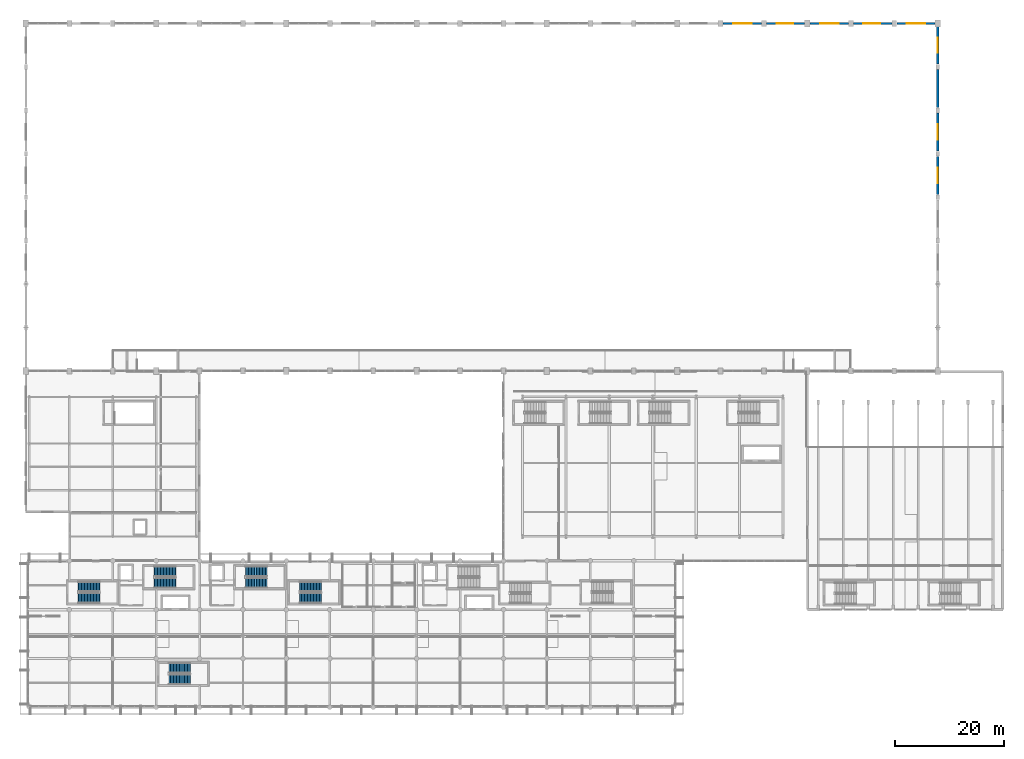
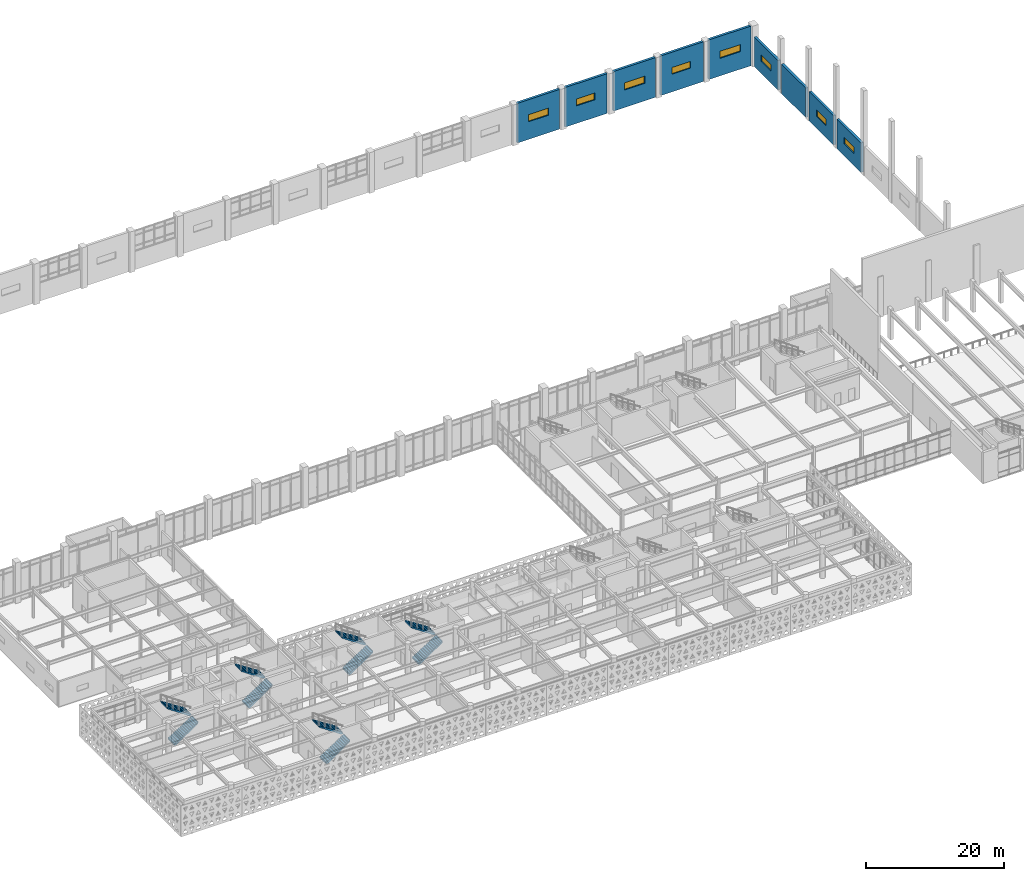
# One storey, part 69 of 84: 10 stair flights, 9 walls, 8 windows, 8 openings, 5 elements without a shape of their own.
"""IFC4 building model written with IfcOpenShell, lengths in metres."""

from ifc_helpers import new_model, si_unit, direction, frame, frame_2d, origin, place, context, subcontext, project, spatial, polyline, rectangle, outline, extrude, material, layer, layer_set, type_object, element, fill, aggregate, save


model = new_model("IFC4")

# Units and contexts
model_context = context("Model", 3, precision=1e-05, world=origin(), true_north=direction((0.0, 1.0)))
body_context = subcontext(model_context, "Body", "Model", "MODEL_VIEW")
ifc_project = project(units=[si_unit("LENGTHUNIT", "METRE"), si_unit("AREAUNIT", "SQUARE_METRE"), si_unit("VOLUMEUNIT", "CUBIC_METRE"), si_unit("PLANEANGLEUNIT", "RADIAN"), si_unit("MASSUNIT", "GRAM", prefix="KILO")], contexts=[model_context])

# Site, building, storey
site_placement = place(None, origin())
site = spatial("IfcSite", under=ifc_project, at=site_placement, CompositionType="ELEMENT")
building_placement = place(site_placement, origin())
building = spatial("IfcBuilding", under=site, at=building_placement, Name="Tlacozan Convention Centre", CompositionType="ELEMENT")
storey_placement = place(building_placement, frame((0.0, 0.0, 6.0)))
storey = spatial("IfcBuildingStorey", under=building, at=storey_placement, Name="L01", CompositionType="ELEMENT", Elevation=6.0)

# Wall, opening, window
ifc_material_1 = material(Name="Concrete C40/50", Category="concrete")
ifc_layer = layer(ifc_material_1, 0.39990234375)
ifc_layer_set = layer_set([ifc_layer], Name="Concrete C40/50")
wall_type = type_object("IfcWallType", Name="Cantera Structural Hall Wall 400", PredefinedType="SOLIDWALL", material=ifc_layer_set)
wall_1_placement = place(storey_placement, frame((128.465087890625, 126.0, 0.0), z_axis=(0.0, 0.0, 1.0), x_axis=(1.0, 0.0, 0.0)))
wall_1 = element("IfcWall", 1, at=wall_1_placement, inside=storey, type_object=wall_type, Name="L01 Cantera Structural Hall Wall 400 46", PredefinedType="SOLIDWALL", context=body_context, shape_type="SweptSolid", body=[
    extrude(rectangle(XDim=7.06982421875, YDim=0.39990234375, at=frame_2d((3.534912109375, 0.0))), origin(), (0.0, 0.0, 1.0), 7.0),
])
opening_1_placement = place(wall_1_placement, frame((1.85009765625, 0.0, 3.10009765625)))
opening_1 = element("IfcOpeningElement", 2, at=opening_1_placement, cuts=wall_1, Name="Opening WN-01", PredefinedType="OPENING", context=body_context, shape_type="SweptSolid", body=[
    extrude(rectangle(XDim=3.39990234375, YDim=1.25, at=frame_2d((1.699951171875, 0.625))), frame((0.0, 0.2099609375, 0.0), z_axis=(0.0, -1.0, 0.0), x_axis=(1.0, 0.0, 0.0)), (0.0, 0.0, 1.0), 0.419921875),
])
ifc_material_2 = material(Name="Solar Control Double Low-E Argon Glazing", Category="glass")
window_type_1 = type_object("IfcWindowType", Name="Exhibition North Clerestory Window 3400x1250", PartitioningType="SINGLE_PANEL", PredefinedType="WINDOW", material=ifc_material_2)
window_1_placement = place(opening_1_placement, origin())
window_1 = element("IfcWindow", 3, at=window_1_placement, inside=storey, type_object=window_type_1, Name="L01 Exhibition North Clerestory Window 3400x1250 17", OverallHeight=1.25, OverallWidth=3.39990234375, PartitioningType="SINGLE_PANEL", PredefinedType="WINDOW", context=body_context, shape_type="SweptSolid", body=[
    extrude(rectangle(XDim=3.39990234375, YDim=1.25, at=frame_2d((1.699951171875, 0.625))), frame((0.0, 0.030029296875, 0.0), z_axis=(0.0, -1.0, 0.0), x_axis=(1.0, 0.0, 0.0)), (0.0, 0.0, 1.0), 0.06005859375),
])
fill(opening_1, window_1)

wall_2_placement = place(storey_placement, frame((136.465087890625, 126.0, 0.0), z_axis=(0.0, 0.0, 1.0), x_axis=(1.0, 0.0, 0.0)))
wall_2 = element("IfcWall", 4, at=wall_2_placement, inside=storey, type_object=wall_type, Name="L01 Cantera Structural Hall Wall 400 48", PredefinedType="SOLIDWALL", context=body_context, shape_type="SweptSolid", body=[
    extrude(rectangle(XDim=7.02001953125, YDim=0.39990234375, at=frame_2d((3.510009765625, 0.0))), origin(), (0.0, 0.0, 1.0), 7.0),
])
opening_2_placement = place(wall_2_placement, frame((1.85009765625, 0.0, 3.10009765625)))
opening_2 = element("IfcOpeningElement", 5, at=opening_2_placement, cuts=wall_2, Name="Opening WN-02", PredefinedType="OPENING", context=body_context, shape_type="SweptSolid", body=[
    extrude(rectangle(XDim=3.10009765625, YDim=1.199951171875, at=frame_2d((1.550048828125, 0.60009765625))), frame((0.0, 0.2099609375, 0.0), z_axis=(0.0, -1.0, 0.0), x_axis=(1.0, 0.0, 0.0)), (0.0, 0.0, 1.0), 0.419921875),
])
window_type_2 = type_object("IfcWindowType", Name="Exhibition North Clerestory Window 3100x1200", PartitioningType="SINGLE_PANEL", PredefinedType="WINDOW", material=ifc_material_2)
window_2_placement = place(opening_2_placement, origin())
window_2 = element("IfcWindow", 6, at=window_2_placement, inside=storey, type_object=window_type_2, Name="L01 Exhibition North Clerestory Window 3100x1200 19", OverallHeight=1.199951171875, OverallWidth=3.10009765625, PartitioningType="SINGLE_PANEL", PredefinedType="WINDOW", context=body_context, shape_type="SweptSolid", body=[
    extrude(rectangle(XDim=3.10009765625, YDim=1.199951171875, at=frame_2d((1.550048828125, 0.60009765625))), frame((0.0, 0.030029296875, 0.0), z_axis=(0.0, -1.0, 0.0), x_axis=(1.0, 0.0, 0.0)), (0.0, 0.0, 1.0), 0.06005859375),
])
fill(opening_2, window_2)

wall_3_placement = place(storey_placement, frame((144.514892578125, 126.0, 0.0), z_axis=(0.0, 0.0, 1.0), x_axis=(1.0, 0.0, 0.0)))
wall_3 = element("IfcWall", 7, at=wall_3_placement, inside=storey, type_object=wall_type, Name="L01 Cantera Structural Hall Wall 400 50", PredefinedType="SOLIDWALL", context=body_context, shape_type="SweptSolid", body=[
    extrude(rectangle(XDim=7.02001953125, YDim=0.39990234375, at=frame_2d((3.510009765625, 0.0))), origin(), (0.0, 0.0, 1.0), 7.0),
])
opening_3_placement = place(wall_3_placement, frame((1.85009765625, 0.0, 3.10009765625)))
opening_3 = element("IfcOpeningElement", 8, at=opening_3_placement, cuts=wall_3, Name="Opening WN-01", PredefinedType="OPENING", context=body_context, shape_type="SweptSolid", body=[
    extrude(rectangle(XDim=3.39990234375, YDim=1.25, at=frame_2d((1.699951171875, 0.625))), frame((0.0, 0.2099609375, 0.0), z_axis=(0.0, -1.0, 0.0), x_axis=(1.0, 0.0, 0.0)), (0.0, 0.0, 1.0), 0.419921875),
])
window_3_placement = place(opening_3_placement, origin())
window_3 = element("IfcWindow", 9, at=window_3_placement, inside=storey, type_object=window_type_1, Name="L01 Exhibition North Clerestory Window 3400x1250 20", OverallHeight=1.25, OverallWidth=3.39990234375, PartitioningType="SINGLE_PANEL", PredefinedType="WINDOW", context=body_context, shape_type="SweptSolid", body=[
    extrude(rectangle(XDim=3.39990234375, YDim=1.25, at=frame_2d((1.699951171875, 0.625))), frame((0.0, 0.030029296875, 0.0), z_axis=(0.0, -1.0, 0.0), x_axis=(1.0, 0.0, 0.0)), (0.0, 0.0, 1.0), 0.06005859375),
])
fill(opening_3, window_3)

wall_4_placement = place(storey_placement, frame((152.465087890625, 126.0, 0.0), z_axis=(0.0, 0.0, 1.0), x_axis=(1.0, 0.0, 0.0)))
wall_4 = element("IfcWall", 10, at=wall_4_placement, inside=storey, type_object=wall_type, Name="L01 Cantera Structural Hall Wall 400 52", PredefinedType="SOLIDWALL", context=body_context, shape_type="SweptSolid", body=[
    extrude(rectangle(XDim=7.06982421875, YDim=0.39990234375, at=frame_2d((3.534912109375, 0.0))), origin(), (0.0, 0.0, 1.0), 7.0),
])
opening_4_placement = place(wall_4_placement, frame((1.85009765625, 0.0, 3.10009765625)))
opening_4 = element("IfcOpeningElement", 11, at=opening_4_placement, cuts=wall_4, Name="Opening WN-02", PredefinedType="OPENING", context=body_context, shape_type="SweptSolid", body=[
    extrude(rectangle(XDim=3.10009765625, YDim=1.199951171875, at=frame_2d((1.550048828125, 0.60009765625))), frame((0.0, 0.2099609375, 0.0), z_axis=(0.0, -1.0, 0.0), x_axis=(1.0, 0.0, 0.0)), (0.0, 0.0, 1.0), 0.419921875),
])
window_4_placement = place(opening_4_placement, origin())
window_4 = element("IfcWindow", 12, at=window_4_placement, inside=storey, type_object=window_type_2, Name="L01 Exhibition North Clerestory Window 3100x1200 21", OverallHeight=1.199951171875, OverallWidth=3.10009765625, PartitioningType="SINGLE_PANEL", PredefinedType="WINDOW", context=body_context, shape_type="SweptSolid", body=[
    extrude(rectangle(XDim=3.10009765625, YDim=1.199951171875, at=frame_2d((1.550048828125, 0.60009765625))), frame((0.0, 0.030029296875, 0.0), z_axis=(0.0, -1.0, 0.0), x_axis=(1.0, 0.0, 0.0)), (0.0, 0.0, 1.0), 0.06005859375),
])
fill(opening_4, window_4)

wall_5_placement = place(storey_placement, frame((160.465087890625, 126.0, 0.0), z_axis=(0.0, 0.0, 1.0), x_axis=(1.0, 0.0, 0.0)))
wall_5 = element("IfcWall", 13, at=wall_5_placement, inside=storey, type_object=wall_type, Name="L01 Cantera Structural Hall Wall 400 54", PredefinedType="SOLIDWALL", context=body_context, shape_type="SweptSolid", body=[
    extrude(rectangle(XDim=7.02001953125, YDim=0.39990234375, at=frame_2d((3.510009765625, 0.0))), origin(), (0.0, 0.0, 1.0), 7.0),
])
opening_5_placement = place(wall_5_placement, frame((1.85009765625, 0.0, 3.10009765625)))
opening_5 = element("IfcOpeningElement", 14, at=opening_5_placement, cuts=wall_5, Name="Opening WN-01", PredefinedType="OPENING", context=body_context, shape_type="SweptSolid", body=[
    extrude(rectangle(XDim=3.39990234375, YDim=1.25, at=frame_2d((1.699951171875, 0.625))), frame((0.0, 0.2099609375, 0.0), z_axis=(0.0, -1.0, 0.0), x_axis=(1.0, 0.0, 0.0)), (0.0, 0.0, 1.0), 0.419921875),
])
window_5_placement = place(opening_5_placement, origin())
window_5 = element("IfcWindow", 15, at=window_5_placement, inside=storey, type_object=window_type_1, Name="L01 Exhibition North Clerestory Window 3400x1250 22", OverallHeight=1.25, OverallWidth=3.39990234375, PartitioningType="SINGLE_PANEL", PredefinedType="WINDOW", context=body_context, shape_type="SweptSolid", body=[
    extrude(rectangle(XDim=3.39990234375, YDim=1.25, at=frame_2d((1.699951171875, 0.625))), frame((0.0, 0.030029296875, 0.0), z_axis=(0.0, -1.0, 0.0), x_axis=(1.0, 0.0, 0.0)), (0.0, 0.0, 1.0), 0.06005859375),
])
fill(opening_5, window_5)

wall_6_placement = place(storey_placement, frame((168.0, 94.5, 0.0), z_axis=(0.0, 0.0, 1.0), x_axis=(0.0, 1.0, 0.0)))
wall_6 = element("IfcWall", 16, at=wall_6_placement, inside=storey, type_object=wall_type, Name="L01 Cantera Structural Hall Wall 400 80", PredefinedType="SOLIDWALL", context=body_context, shape_type="SweptSolid", body=[
    extrude(rectangle(XDim=7.0, YDim=0.39990234375, at=frame_2d((3.5, 0.0))), origin(), (0.0, 0.0, 1.0), 5.199951171875),
])
opening_6_placement = place(wall_6_placement, frame((2.10009765625, 0.0, 2.10009765625)))
opening_6 = element("IfcOpeningElement", 17, at=opening_6_placement, cuts=wall_6, Name="Opening WN-03", PredefinedType="OPENING", context=body_context, shape_type="SweptSolid", body=[
    extrude(rectangle(XDim=2.800048828125, YDim=1.14990234375, at=frame_2d((1.39990234375, 0.574951171875))), frame((0.0, 0.2099609375, 0.0), z_axis=(0.0, -1.0, 0.0), x_axis=(1.0, 0.0, 0.0)), (0.0, 0.0, 1.0), 0.419921875),
])
window_type_3 = type_object("IfcWindowType", Name="Exhibition Gable Clerestory Window 2800x1150", PartitioningType="SINGLE_PANEL", PredefinedType="WINDOW", material=ifc_material_2)
window_6_placement = place(opening_6_placement, origin())
window_6 = element("IfcWindow", 18, at=window_6_placement, inside=storey, type_object=window_type_3, Name="L01 Exhibition Gable Clerestory Window 2800x1150 37", OverallHeight=1.14990234375, OverallWidth=2.800048828125, PartitioningType="SINGLE_PANEL", PredefinedType="WINDOW", context=body_context, shape_type="SweptSolid", body=[
    extrude(rectangle(XDim=2.800048828125, YDim=1.14990234375, at=frame_2d((1.39990234375, 0.574951171875))), frame((0.0, 0.030029296875, 0.0), z_axis=(0.0, -1.0, 0.0), x_axis=(1.0, 0.0, 0.0)), (0.0, 0.0, 1.0), 0.06005859375),
])
fill(opening_6, window_6)

wall_7_placement = place(storey_placement, frame((168.0, 102.5, 0.0), z_axis=(0.0, 0.0, 1.0), x_axis=(0.0, 1.0, 0.0)))
wall_7 = element("IfcWall", 19, at=wall_7_placement, inside=storey, type_object=wall_type, Name="L01 Cantera Structural Hall Wall 400 82", PredefinedType="SOLIDWALL", context=body_context, shape_type="SweptSolid", body=[
    extrude(rectangle(XDim=7.0, YDim=0.39990234375, at=frame_2d((3.5, 0.0))), origin(), (0.0, 0.0, 1.0), 5.199951171875),
])
opening_7_placement = place(wall_7_placement, frame((2.10009765625, 0.0, 2.10009765625)))
opening_7 = element("IfcOpeningElement", 20, at=opening_7_placement, cuts=wall_7, Name="Opening WN-03", PredefinedType="OPENING", context=body_context, shape_type="SweptSolid", body=[
    extrude(rectangle(XDim=2.800048828125, YDim=1.14990234375, at=frame_2d((1.39990234375, 0.574951171875))), frame((0.0, 0.2099609375, 0.0), z_axis=(0.0, -1.0, 0.0), x_axis=(1.0, 0.0, 0.0)), (0.0, 0.0, 1.0), 0.419921875),
])
window_7_placement = place(opening_7_placement, origin())
window_7 = element("IfcWindow", 21, at=window_7_placement, inside=storey, type_object=window_type_3, Name="L01 Exhibition Gable Clerestory Window 2800x1150 38", OverallHeight=1.14990234375, OverallWidth=2.800048828125, PartitioningType="SINGLE_PANEL", PredefinedType="WINDOW", context=body_context, shape_type="SweptSolid", body=[
    extrude(rectangle(XDim=2.800048828125, YDim=1.14990234375, at=frame_2d((1.39990234375, 0.574951171875))), frame((0.0, 0.030029296875, 0.0), z_axis=(0.0, -1.0, 0.0), x_axis=(1.0, 0.0, 0.0)), (0.0, 0.0, 1.0), 0.06005859375),
])
fill(opening_7, window_7)

# Wall
wall_8_placement = place(storey_placement, frame((168.0, 110.5, 0.0), z_axis=(0.0, 0.0, 1.0), x_axis=(0.0, 1.0, 0.0)))
element("IfcWall", 22, at=wall_8_placement, inside=storey, type_object=wall_type, Name="L01 Cantera Structural Hall Wall 400 84", PredefinedType="SOLIDWALL", context=body_context, shape_type="SweptSolid", body=[
    extrude(rectangle(XDim=7.0, YDim=0.39990234375, at=frame_2d((3.5, 0.0))), origin(), (0.0, 0.0, 1.0), 5.199951171875),
])

# Wall, opening, window
wall_9_placement = place(storey_placement, frame((168.0, 118.5, 0.0), z_axis=(0.0, 0.0, 1.0), x_axis=(0.0, 1.0, 0.0)))
wall_9 = element("IfcWall", 23, at=wall_9_placement, inside=storey, type_object=wall_type, Name="L01 Cantera Structural Hall Wall 400 86", PredefinedType="SOLIDWALL", context=body_context, shape_type="SweptSolid", body=[
    extrude(rectangle(XDim=7.0, YDim=0.39990234375, at=frame_2d((3.5, 0.0))), origin(), (0.0, 0.0, 1.0), 5.199951171875),
])
opening_8_placement = place(wall_9_placement, frame((2.10009765625, 0.0, 2.10009765625)))
opening_8 = element("IfcOpeningElement", 24, at=opening_8_placement, cuts=wall_9, Name="Opening WN-03", PredefinedType="OPENING", context=body_context, shape_type="SweptSolid", body=[
    extrude(rectangle(XDim=2.800048828125, YDim=1.14990234375, at=frame_2d((1.39990234375, 0.574951171875))), frame((0.0, 0.2099609375, 0.0), z_axis=(0.0, -1.0, 0.0), x_axis=(1.0, 0.0, 0.0)), (0.0, 0.0, 1.0), 0.419921875),
])
window_8_placement = place(opening_8_placement, origin())
window_8 = element("IfcWindow", 25, at=window_8_placement, inside=storey, type_object=window_type_3, Name="L01 Exhibition Gable Clerestory Window 2800x1150 40", OverallHeight=1.14990234375, OverallWidth=2.800048828125, PartitioningType="SINGLE_PANEL", PredefinedType="WINDOW", context=body_context, shape_type="SweptSolid", body=[
    extrude(rectangle(XDim=2.800048828125, YDim=1.14990234375, at=frame_2d((1.39990234375, 0.574951171875))), frame((0.0, 0.030029296875, 0.0), z_axis=(0.0, -1.0, 0.0), x_axis=(1.0, 0.0, 0.0)), (0.0, 0.0, 1.0), 0.06005859375),
])
fill(opening_8, window_8)

# Stair, stair flights
stair_type = type_object("IfcStairType", Name="Protected Dogleg Stair W188 H54", PredefinedType="HALF_TURN_STAIR", material=ifc_material_1)
stair_1_placement = place(storey_placement, origin())
stair_1 = element("IfcStair", 26, at=stair_1_placement, inside=storey, type_object=stair_type, Name="L01 West Congress Core Stair ST-01", PredefinedType="HALF_TURN_STAIR")
stair_flight_type = type_object("IfcStairFlightType", Name="Concrete Stair Flight W188 H54", PredefinedType="STRAIGHT", material=ifc_material_1)
stair_flight_1_placement = place(storey_placement, frame((23.679931640625, 22.93994140625, 0.0), z_axis=(0.0, 0.0, 1.0), x_axis=(1.0, 0.0, 0.0)))
stair_flight_1 = element("IfcStairFlight", 27, at=stair_flight_1_placement, type_object=stair_flight_type, Name="ST-01 flight 1", NumberOfRisers=15, NumberOfTreads=14, PredefinedType="STRAIGHT", RiserHeight=0.18, TreadLength=0.28, context=body_context, shape_type="SweptSolid", body=[
    extrude(outline(polyline([(-0.044921875, -0.14990234375), (-0.044921875, 0.0), (0.0, 0.0), (0.0, 0.179931640625), (0.280029296875, 0.179931640625), (0.280029296875, 0.360107421875), (0.56005859375, 0.360107421875), (0.56005859375, 0.5400390625), (0.840087890625, 0.5400390625), (0.840087890625, 0.719970703125), (1.1201171875, 0.719970703125), (1.1201171875, 0.89990234375), (1.39990234375, 0.89990234375), (1.39990234375, 1.080078125), (1.679931640625, 1.080078125), (1.679931640625, 1.260009765625), (1.9599609375, 1.260009765625), (1.9599609375, 1.43994140625), (2.239990234375, 1.43994140625), (2.239990234375, 1.6201171875), (2.52001953125, 1.6201171875), (2.52001953125, 1.800048828125), (2.800048828125, 1.800048828125), (2.800048828125, 1.97998046875), (3.080078125, 1.97998046875), (3.080078125, 2.159912109375), (3.360107421875, 2.159912109375), (3.360107421875, 2.340087890625), (3.639892578125, 2.340087890625), (3.639892578125, 2.52001953125), (3.919921875, 2.52001953125), (3.919921875, 2.699951171875), (3.96484375, 2.699951171875), (3.96484375, 2.550048828125), (3.919921875, 2.341796875), (0.277099609375, -0.14990234375), (-0.044921875, -0.14990234375)])), frame((0.0, 0.93994140625, 0.0), z_axis=(0.0, -1.0, 0.0), x_axis=(1.0, 0.0, 0.0)), (0.0, 0.0, 1.0), 1.8798828125),
])
stair_flight_2_placement = place(storey_placement, frame((27.60009765625, 25.02001953125, 2.699951171875), z_axis=(0.0, 0.0, 1.0), x_axis=(-1.0, 0.0, 0.0)))
stair_flight_2 = element("IfcStairFlight", 28, at=stair_flight_2_placement, type_object=stair_flight_type, Name="ST-01 flight 2", NumberOfRisers=15, NumberOfTreads=14, PredefinedType="STRAIGHT", RiserHeight=0.18, TreadLength=0.28, context=body_context, shape_type="SweptSolid", body=[
    extrude(outline(polyline([(-0.044921875, -0.14990234375), (-0.044921875, 0.0), (0.0, 0.0), (0.0, 0.179931640625), (0.280029296875, 0.179931640625), (0.280029296875, 0.360107421875), (0.56005859375, 0.360107421875), (0.56005859375, 0.5400390625), (0.840087890625, 0.5400390625), (0.840087890625, 0.719970703125), (1.1201171875, 0.719970703125), (1.1201171875, 0.89990234375), (1.39990234375, 0.89990234375), (1.39990234375, 1.080078125), (1.679931640625, 1.080078125), (1.679931640625, 1.260009765625), (1.9599609375, 1.260009765625), (1.9599609375, 1.43994140625), (2.239990234375, 1.43994140625), (2.239990234375, 1.6201171875), (2.52001953125, 1.6201171875), (2.52001953125, 1.800048828125), (2.800048828125, 1.800048828125), (2.800048828125, 1.97998046875), (3.080078125, 1.97998046875), (3.080078125, 2.159912109375), (3.360107421875, 2.159912109375), (3.360107421875, 2.340087890625), (3.639892578125, 2.340087890625), (3.639892578125, 2.52001953125), (3.919921875, 2.52001953125), (3.919921875, 2.699951171875), (3.96484375, 2.699951171875), (3.96484375, 2.550048828125), (3.919921875, 2.341796875), (0.277099609375, -0.14990234375), (-0.044921875, -0.14990234375)])), frame((0.0, 0.93994140625, 0.0), z_axis=(0.0, -1.0, 0.0), x_axis=(1.0, 0.0, 0.0)), (0.0, 0.0, 1.0), 1.8798828125),
])
aggregate(stair_1, [stair_flight_1, stair_flight_2])

stair_2_placement = place(storey_placement, origin())
stair_2 = element("IfcStair", 29, at=stair_2_placement, inside=storey, type_object=stair_type, Name="L01 Central Congress Core Stair ST-04", PredefinedType="HALF_TURN_STAIR")
stair_flight_3_placement = place(storey_placement, frame((40.47998046875, 22.93994140625, 0.0), z_axis=(0.0, 0.0, 1.0), x_axis=(1.0, 0.0, 0.0)))
stair_flight_3 = element("IfcStairFlight", 30, at=stair_flight_3_placement, type_object=stair_flight_type, Name="ST-04 flight 1", NumberOfRisers=15, NumberOfTreads=14, PredefinedType="STRAIGHT", RiserHeight=0.18, TreadLength=0.28, context=body_context, shape_type="SweptSolid", body=[
    extrude(outline(polyline([(-0.044921875, -0.14990234375), (-0.044921875, 0.0), (0.0, 0.0), (0.0, 0.179931640625), (0.280029296875, 0.179931640625), (0.280029296875, 0.360107421875), (0.56005859375, 0.360107421875), (0.56005859375, 0.5400390625), (0.840087890625, 0.5400390625), (0.840087890625, 0.719970703125), (1.1201171875, 0.719970703125), (1.1201171875, 0.89990234375), (1.39990234375, 0.89990234375), (1.39990234375, 1.080078125), (1.679931640625, 1.080078125), (1.679931640625, 1.260009765625), (1.9599609375, 1.260009765625), (1.9599609375, 1.43994140625), (2.239990234375, 1.43994140625), (2.239990234375, 1.6201171875), (2.52001953125, 1.6201171875), (2.52001953125, 1.800048828125), (2.800048828125, 1.800048828125), (2.800048828125, 1.97998046875), (3.080078125, 1.97998046875), (3.080078125, 2.159912109375), (3.360107421875, 2.159912109375), (3.360107421875, 2.340087890625), (3.639892578125, 2.340087890625), (3.639892578125, 2.52001953125), (3.919921875, 2.52001953125), (3.919921875, 2.699951171875), (3.96484375, 2.699951171875), (3.96484375, 2.550048828125), (3.919921875, 2.341796875), (0.277099609375, -0.14990234375), (-0.044921875, -0.14990234375)])), frame((0.0, 0.93994140625, 0.0), z_axis=(0.0, -1.0, 0.0), x_axis=(1.0, 0.0, 0.0)), (0.0, 0.0, 1.0), 1.8798828125),
])
stair_flight_4_placement = place(storey_placement, frame((44.39990234375, 25.02001953125, 2.699951171875), z_axis=(0.0, 0.0, 1.0), x_axis=(-1.0, 0.0, 0.0)))
stair_flight_4 = element("IfcStairFlight", 31, at=stair_flight_4_placement, type_object=stair_flight_type, Name="ST-04 flight 2", NumberOfRisers=15, NumberOfTreads=14, PredefinedType="STRAIGHT", RiserHeight=0.18, TreadLength=0.28, context=body_context, shape_type="SweptSolid", body=[
    extrude(outline(polyline([(-0.044921875, -0.14990234375), (-0.044921875, 0.0), (0.0, 0.0), (0.0, 0.179931640625), (0.280029296875, 0.179931640625), (0.280029296875, 0.360107421875), (0.56005859375, 0.360107421875), (0.56005859375, 0.5400390625), (0.840087890625, 0.5400390625), (0.840087890625, 0.719970703125), (1.1201171875, 0.719970703125), (1.1201171875, 0.89990234375), (1.39990234375, 0.89990234375), (1.39990234375, 1.080078125), (1.679931640625, 1.080078125), (1.679931640625, 1.260009765625), (1.9599609375, 1.260009765625), (1.9599609375, 1.43994140625), (2.239990234375, 1.43994140625), (2.239990234375, 1.6201171875), (2.52001953125, 1.6201171875), (2.52001953125, 1.800048828125), (2.800048828125, 1.800048828125), (2.800048828125, 1.97998046875), (3.080078125, 1.97998046875), (3.080078125, 2.159912109375), (3.360107421875, 2.159912109375), (3.360107421875, 2.340087890625), (3.639892578125, 2.340087890625), (3.639892578125, 2.52001953125), (3.919921875, 2.52001953125), (3.919921875, 2.699951171875), (3.96484375, 2.699951171875), (3.96484375, 2.550048828125), (3.919921875, 2.341796875), (0.277099609375, -0.14990234375), (-0.044921875, -0.14990234375)])), frame((0.0, 0.93994140625, 0.0), z_axis=(0.0, -1.0, 0.0), x_axis=(1.0, 0.0, 0.0)), (0.0, 0.0, 1.0), 1.8798828125),
])
aggregate(stair_2, [stair_flight_3, stair_flight_4])

stair_3_placement = place(storey_placement, origin())
stair_3 = element("IfcStair", 32, at=stair_3_placement, inside=storey, type_object=stair_type, Name="L01 West Belvedere Congress Stair", PredefinedType="HALF_TURN_STAIR")
stair_flight_5_placement = place(storey_placement, frame((9.679931640625, 20.139892578125, 0.0), z_axis=(0.0, 0.0, 1.0), x_axis=(1.0, 0.0, 0.0)))
stair_flight_5 = element("IfcStairFlight", 33, at=stair_flight_5_placement, type_object=stair_flight_type, Name="ST-13 flight 1", NumberOfRisers=15, NumberOfTreads=14, PredefinedType="STRAIGHT", RiserHeight=0.18, TreadLength=0.28, context=body_context, shape_type="SweptSolid", body=[
    extrude(outline(polyline([(-0.044921875, -0.14990234375), (-0.044921875, 0.0), (0.0, 0.0), (0.0, 0.179931640625), (0.280029296875, 0.179931640625), (0.280029296875, 0.360107421875), (0.56005859375, 0.360107421875), (0.56005859375, 0.5400390625), (0.840087890625, 0.5400390625), (0.840087890625, 0.719970703125), (1.1201171875, 0.719970703125), (1.1201171875, 0.89990234375), (1.39990234375, 0.89990234375), (1.39990234375, 1.080078125), (1.679931640625, 1.080078125), (1.679931640625, 1.260009765625), (1.9599609375, 1.260009765625), (1.9599609375, 1.43994140625), (2.239990234375, 1.43994140625), (2.239990234375, 1.6201171875), (2.52001953125, 1.6201171875), (2.52001953125, 1.800048828125), (2.800048828125, 1.800048828125), (2.800048828125, 1.97998046875), (3.080078125, 1.97998046875), (3.080078125, 2.159912109375), (3.360107421875, 2.159912109375), (3.360107421875, 2.340087890625), (3.639892578125, 2.340087890625), (3.639892578125, 2.52001953125), (3.919921875, 2.52001953125), (3.919921875, 2.699951171875), (3.96484375, 2.699951171875), (3.96484375, 2.550048828125), (3.919921875, 2.341796875), (0.277099609375, -0.14990234375), (-0.044921875, -0.14990234375)])), frame((0.0, 0.93994140625, 0.0), z_axis=(0.0, -1.0, 0.0), x_axis=(1.0, 0.0, 0.0)), (0.0, 0.0, 1.0), 1.8798828125),
])
stair_flight_6_placement = place(storey_placement, frame((13.60009765625, 22.219970703125, 2.699951171875), z_axis=(0.0, 0.0, 1.0), x_axis=(-1.0, 0.0, 0.0)))
stair_flight_6 = element("IfcStairFlight", 34, at=stair_flight_6_placement, type_object=stair_flight_type, Name="ST-13 flight 2", NumberOfRisers=15, NumberOfTreads=14, PredefinedType="STRAIGHT", RiserHeight=0.18, TreadLength=0.28, context=body_context, shape_type="SweptSolid", body=[
    extrude(outline(polyline([(-0.044921875, -0.14990234375), (-0.044921875, 0.0), (0.0, 0.0), (0.0, 0.179931640625), (0.280029296875, 0.179931640625), (0.280029296875, 0.360107421875), (0.56005859375, 0.360107421875), (0.56005859375, 0.5400390625), (0.840087890625, 0.5400390625), (0.840087890625, 0.719970703125), (1.1201171875, 0.719970703125), (1.1201171875, 0.89990234375), (1.39990234375, 0.89990234375), (1.39990234375, 1.080078125), (1.679931640625, 1.080078125), (1.679931640625, 1.260009765625), (1.9599609375, 1.260009765625), (1.9599609375, 1.43994140625), (2.239990234375, 1.43994140625), (2.239990234375, 1.6201171875), (2.52001953125, 1.6201171875), (2.52001953125, 1.800048828125), (2.800048828125, 1.800048828125), (2.800048828125, 1.97998046875), (3.080078125, 1.97998046875), (3.080078125, 2.159912109375), (3.360107421875, 2.159912109375), (3.360107421875, 2.340087890625), (3.639892578125, 2.340087890625), (3.639892578125, 2.52001953125), (3.919921875, 2.52001953125), (3.919921875, 2.699951171875), (3.96484375, 2.699951171875), (3.96484375, 2.550048828125), (3.919921875, 2.341796875), (0.277099609375, -0.14990234375), (-0.044921875, -0.14990234375)])), frame((0.0, 0.93994140625, 0.0), z_axis=(0.0, -1.0, 0.0), x_axis=(1.0, 0.0, 0.0)), (0.0, 0.0, 1.0), 1.8798828125),
])
aggregate(stair_3, [stair_flight_5, stair_flight_6])

stair_4_placement = place(storey_placement, origin())
stair_4 = element("IfcStair", 35, at=stair_4_placement, inside=storey, type_object=stair_type, Name="L01 Central Promenade Congress Stair", PredefinedType="HALF_TURN_STAIR")
stair_flight_7_placement = place(storey_placement, frame((50.47998046875, 20.139892578125, 0.0), z_axis=(0.0, 0.0, 1.0), x_axis=(1.0, 0.0, 0.0)))
stair_flight_7 = element("IfcStairFlight", 36, at=stair_flight_7_placement, type_object=stair_flight_type, Name="ST-14 flight 1", NumberOfRisers=15, NumberOfTreads=14, PredefinedType="STRAIGHT", RiserHeight=0.18, TreadLength=0.28, context=body_context, shape_type="SweptSolid", body=[
    extrude(outline(polyline([(-0.044921875, -0.14990234375), (-0.044921875, 0.0), (0.0, 0.0), (0.0, 0.179931640625), (0.280029296875, 0.179931640625), (0.280029296875, 0.360107421875), (0.56005859375, 0.360107421875), (0.56005859375, 0.5400390625), (0.840087890625, 0.5400390625), (0.840087890625, 0.719970703125), (1.1201171875, 0.719970703125), (1.1201171875, 0.89990234375), (1.39990234375, 0.89990234375), (1.39990234375, 1.080078125), (1.679931640625, 1.080078125), (1.679931640625, 1.260009765625), (1.9599609375, 1.260009765625), (1.9599609375, 1.43994140625), (2.239990234375, 1.43994140625), (2.239990234375, 1.6201171875), (2.52001953125, 1.6201171875), (2.52001953125, 1.800048828125), (2.800048828125, 1.800048828125), (2.800048828125, 1.97998046875), (3.080078125, 1.97998046875), (3.080078125, 2.159912109375), (3.360107421875, 2.159912109375), (3.360107421875, 2.340087890625), (3.639892578125, 2.340087890625), (3.639892578125, 2.52001953125), (3.919921875, 2.52001953125), (3.919921875, 2.699951171875), (3.96484375, 2.699951171875), (3.96484375, 2.550048828125), (3.919921875, 2.341796875), (0.277099609375, -0.14990234375), (-0.044921875, -0.14990234375)])), frame((0.0, 0.93994140625, 0.0), z_axis=(0.0, -1.0, 0.0), x_axis=(1.0, 0.0, 0.0)), (0.0, 0.0, 1.0), 1.8798828125),
])
stair_flight_8_placement = place(storey_placement, frame((54.39990234375, 22.219970703125, 2.699951171875), z_axis=(0.0, 0.0, 1.0), x_axis=(-1.0, 0.0, 0.0)))
stair_flight_8 = element("IfcStairFlight", 37, at=stair_flight_8_placement, type_object=stair_flight_type, Name="ST-14 flight 2", NumberOfRisers=15, NumberOfTreads=14, PredefinedType="STRAIGHT", RiserHeight=0.18, TreadLength=0.28, context=body_context, shape_type="SweptSolid", body=[
    extrude(outline(polyline([(-0.044921875, -0.14990234375), (-0.044921875, 0.0), (0.0, 0.0), (0.0, 0.179931640625), (0.280029296875, 0.179931640625), (0.280029296875, 0.360107421875), (0.56005859375, 0.360107421875), (0.56005859375, 0.5400390625), (0.840087890625, 0.5400390625), (0.840087890625, 0.719970703125), (1.1201171875, 0.719970703125), (1.1201171875, 0.89990234375), (1.39990234375, 0.89990234375), (1.39990234375, 1.080078125), (1.679931640625, 1.080078125), (1.679931640625, 1.260009765625), (1.9599609375, 1.260009765625), (1.9599609375, 1.43994140625), (2.239990234375, 1.43994140625), (2.239990234375, 1.6201171875), (2.52001953125, 1.6201171875), (2.52001953125, 1.800048828125), (2.800048828125, 1.800048828125), (2.800048828125, 1.97998046875), (3.080078125, 1.97998046875), (3.080078125, 2.159912109375), (3.360107421875, 2.159912109375), (3.360107421875, 2.340087890625), (3.639892578125, 2.340087890625), (3.639892578125, 2.52001953125), (3.919921875, 2.52001953125), (3.919921875, 2.699951171875), (3.96484375, 2.699951171875), (3.96484375, 2.550048828125), (3.919921875, 2.341796875), (0.277099609375, -0.14990234375), (-0.044921875, -0.14990234375)])), frame((0.0, 0.93994140625, 0.0), z_axis=(0.0, -1.0, 0.0), x_axis=(1.0, 0.0, 0.0)), (0.0, 0.0, 1.0), 1.8798828125),
])
aggregate(stair_4, [stair_flight_7, stair_flight_8])

stair_5_placement = place(storey_placement, origin())
stair_5 = element("IfcStair", 38, at=stair_5_placement, inside=storey, type_object=stair_type, Name="L01 West Concourse Grand Stair", PredefinedType="HALF_TURN_STAIR")
stair_flight_9_placement = place(storey_placement, frame((26.3798828125, 5.139892578125, 0.0), z_axis=(0.0, 0.0, 1.0), x_axis=(1.0, 0.0, 0.0)))
stair_flight_9 = element("IfcStairFlight", 39, at=stair_flight_9_placement, type_object=stair_flight_type, Name="ST-16 flight 1", NumberOfRisers=15, NumberOfTreads=14, PredefinedType="STRAIGHT", RiserHeight=0.18, TreadLength=0.28, context=body_context, shape_type="SweptSolid", body=[
    extrude(outline(polyline([(-0.044921875, -0.14990234375), (-0.044921875, 0.0), (0.0, 0.0), (0.0, 0.179931640625), (0.280029296875, 0.179931640625), (0.280029296875, 0.360107421875), (0.56005859375, 0.360107421875), (0.56005859375, 0.5400390625), (0.840087890625, 0.5400390625), (0.840087890625, 0.719970703125), (1.1201171875, 0.719970703125), (1.1201171875, 0.89990234375), (1.39990234375, 0.89990234375), (1.39990234375, 1.080078125), (1.679931640625, 1.080078125), (1.679931640625, 1.260009765625), (1.9599609375, 1.260009765625), (1.9599609375, 1.43994140625), (2.239990234375, 1.43994140625), (2.239990234375, 1.6201171875), (2.52001953125, 1.6201171875), (2.52001953125, 1.800048828125), (2.800048828125, 1.800048828125), (2.800048828125, 1.97998046875), (3.080078125, 1.97998046875), (3.080078125, 2.159912109375), (3.360107421875, 2.159912109375), (3.360107421875, 2.340087890625), (3.639892578125, 2.340087890625), (3.639892578125, 2.52001953125), (3.919921875, 2.52001953125), (3.919921875, 2.699951171875), (3.96484375, 2.699951171875), (3.96484375, 2.550048828125), (3.919921875, 2.341796875), (0.277099609375, -0.14990234375), (-0.044921875, -0.14990234375)])), frame((0.0, 0.93994140625, 0.0), z_axis=(0.0, -1.0, 0.0), x_axis=(1.0, 0.0, 0.0)), (0.0, 0.0, 1.0), 1.8798828125),
])
stair_flight_10_placement = place(storey_placement, frame((30.300048828125, 7.219970703125, 2.699951171875), z_axis=(0.0, 0.0, 1.0), x_axis=(-1.0, 0.0, 0.0)))
stair_flight_10 = element("IfcStairFlight", 40, at=stair_flight_10_placement, type_object=stair_flight_type, Name="ST-16 flight 2", NumberOfRisers=15, NumberOfTreads=14, PredefinedType="STRAIGHT", RiserHeight=0.18, TreadLength=0.28, context=body_context, shape_type="SweptSolid", body=[
    extrude(outline(polyline([(-0.044921875, -0.14990234375), (-0.044921875, 0.0), (0.0, 0.0), (0.0, 0.179931640625), (0.280029296875, 0.179931640625), (0.280029296875, 0.360107421875), (0.56005859375, 0.360107421875), (0.56005859375, 0.5400390625), (0.840087890625, 0.5400390625), (0.840087890625, 0.719970703125), (1.1201171875, 0.719970703125), (1.1201171875, 0.89990234375), (1.39990234375, 0.89990234375), (1.39990234375, 1.080078125), (1.679931640625, 1.080078125), (1.679931640625, 1.260009765625), (1.9599609375, 1.260009765625), (1.9599609375, 1.43994140625), (2.239990234375, 1.43994140625), (2.239990234375, 1.6201171875), (2.52001953125, 1.6201171875), (2.52001953125, 1.800048828125), (2.800048828125, 1.800048828125), (2.800048828125, 1.97998046875), (3.080078125, 1.97998046875), (3.080078125, 2.159912109375), (3.360107421875, 2.159912109375), (3.360107421875, 2.340087890625), (3.639892578125, 2.340087890625), (3.639892578125, 2.52001953125), (3.919921875, 2.52001953125), (3.919921875, 2.699951171875), (3.96484375, 2.699951171875), (3.96484375, 2.550048828125), (3.919921875, 2.341796875), (0.277099609375, -0.14990234375), (-0.044921875, -0.14990234375)])), frame((0.0, 0.93994140625, 0.0), z_axis=(0.0, -1.0, 0.0), x_axis=(1.0, 0.0, 0.0)), (0.0, 0.0, 1.0), 1.8798828125),
])
aggregate(stair_5, [stair_flight_9, stair_flight_10])

save(model, "model.ifc")
